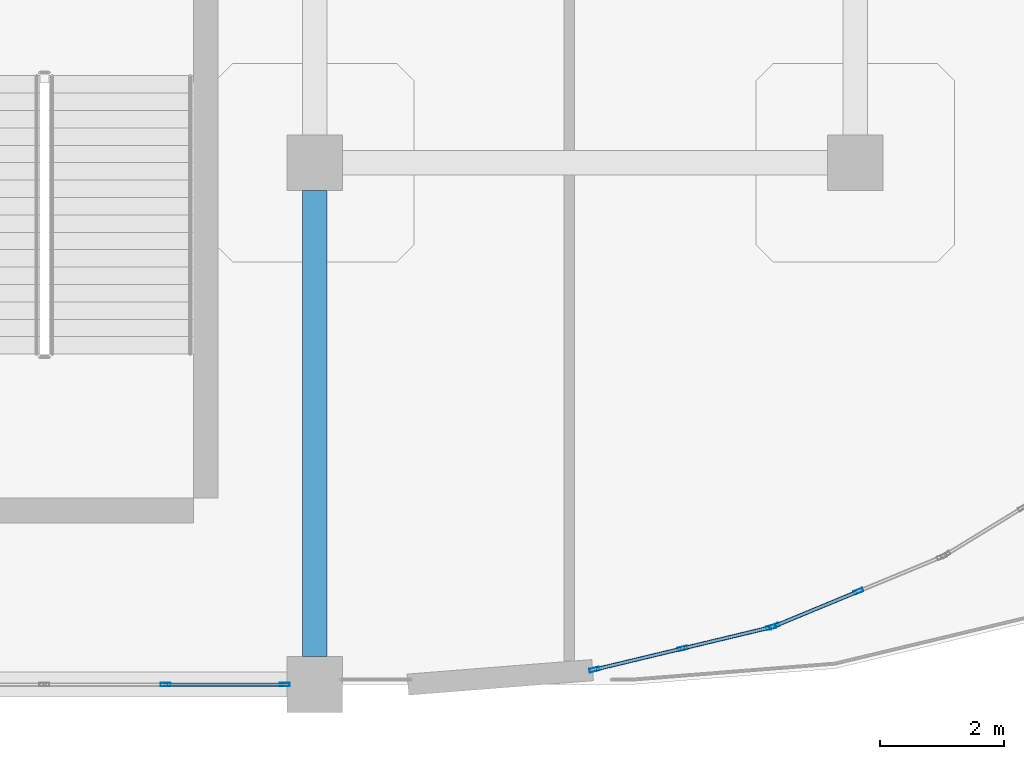
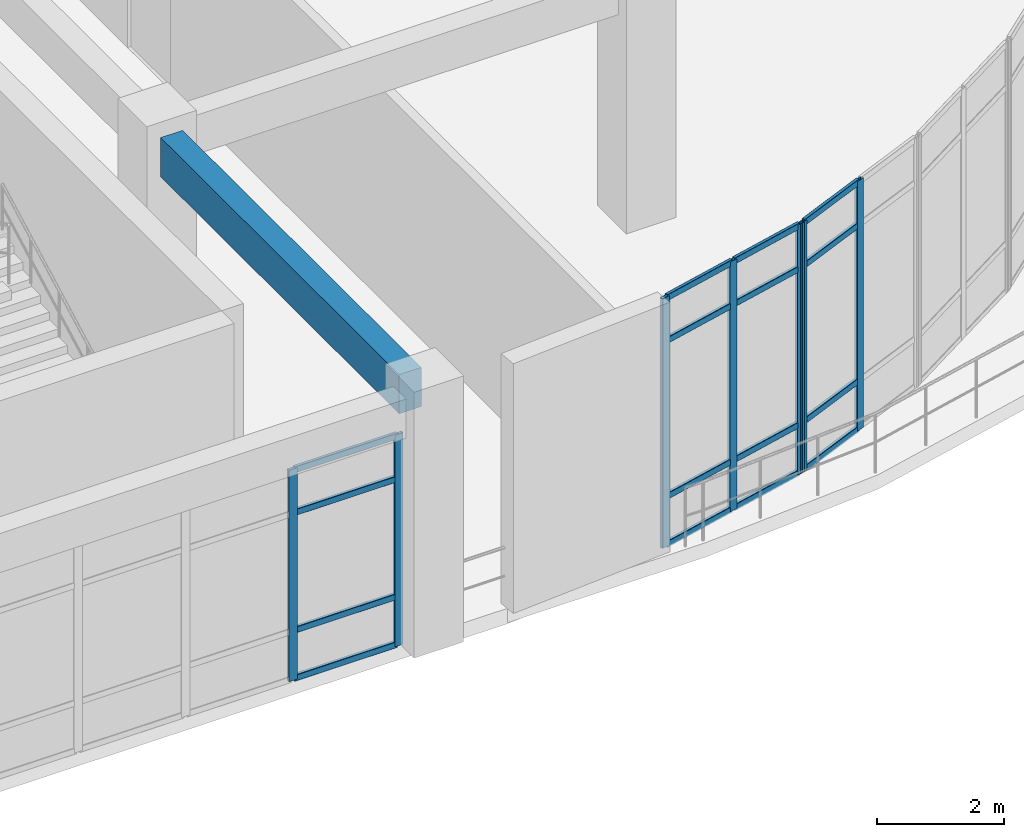
# One storey, part 59 of 120: 23 members, 1 beam, 3 elements without a shape of their own.
"""IFC4 building model written with IfcOpenShell, lengths in metres."""

import ifcopenshell
import ifcopenshell.guid

model = None  # the IFC model being written
_history = None  # IfcOwnerHistory: only IFC2X3 demands one
_inside = {}  # id of a spatial element -> (the spatial element, [elements in it])
_under = {}  # id of a project, library or spatial element -> (it, [spatial elements below it])
_declared = {}  # id of a project -> (the project, [libraries it declares])
_typed = {}  # id of a type object -> (the type object, [elements of that type])
_made_of = {}  # id of a material, layer set ... -> (it, [elements and type objects made of it])


def new_model(schema):
    """Start an empty IFC model of exactly this schema.

    Asked for "IFC4X3", IfcOpenShell would pick the latest addendum, in which some entities
    have other attributes; the version numbers below select the first issue.
    IFC2X3 requires an IfcOwnerHistory on every rooted entity: one is made here for all.
    """
    global model, _history
    if schema == "IFC4X3":
        model = ifcopenshell.file(schema_version=(4, 3, 0, 0))
    else:
        model = ifcopenshell.file(schema=schema)
    _inside.clear()
    _under.clear()
    _declared.clear()
    _typed.clear()
    _made_of.clear()
    _history = None
    if model.schema == "IFC2X3":
        org = make("IfcOrganization", Name="unknown")
        user = make(
            "IfcPersonAndOrganization",
            ThePerson=make("IfcPerson", FamilyName="unknown"),
            TheOrganization=org,
        )
        app = make(
            "IfcApplication",
            ApplicationDeveloper=org,
            Version="unknown",
            ApplicationFullName="unknown",
            ApplicationIdentifier="unknown",
        )
        _history = make(
            "IfcOwnerHistory",
            OwningUser=user,
            OwningApplication=app,
            ChangeAction="ADDED",
            CreationDate=0,
        )
    return model


def make(cls, **values):
    """One entity of the class cls with the attributes given. An attribute that is None is left unset."""
    return model.create_entity(
        cls, **{name: value for name, value in values.items() if value is not None}
    )


def rooted(cls, **values):
    """An entity with a GlobalId (a new one), such as an element, a storey or a relation."""
    return make(cls, GlobalId=ifcopenshell.guid.new(), OwnerHistory=_history, **values)


def si_unit(unit_type, name, prefix=None):
    """IfcSIUnit, for example si_unit("LENGTHUNIT", "METRE", prefix="MILLI")."""
    return make("IfcSIUnit", UnitType=unit_type, Prefix=prefix, Name=name)


def derived_unit(unit_type, elements):
    """IfcDerivedUnit: a product of units, each with its exponent."""
    return make(
        "IfcDerivedUnit",
        Elements=[
            make("IfcDerivedUnitElement", Unit=unit, Exponent=power)
            for unit, power in elements
        ],
        UnitType=unit_type,
    )


def assignment(units):
    """IfcUnitAssignment: the units of a project."""
    return None if units is None else make("IfcUnitAssignment", Units=units)


def point(xyz):
    """IfcCartesianPoint."""
    return None if xyz is None else make("IfcCartesianPoint", Coordinates=xyz)


def direction(xyz):
    """IfcDirection."""
    return None if xyz is None else make("IfcDirection", DirectionRatios=xyz)


def frame(location, z_axis=None, x_axis=None):
    """IfcAxis2Placement3D, a coordinate frame: its origin and axes. An axis left out is left unset."""
    return make(
        "IfcAxis2Placement3D",
        Location=point(location),
        Axis=direction(z_axis),
        RefDirection=direction(x_axis),
    )


def frame_2d(location, x_axis=None):
    """IfcAxis2Placement2D, a coordinate frame in the plane: its origin and x axis."""
    return make(
        "IfcAxis2Placement2D", Location=point(location), RefDirection=direction(x_axis)
    )


def origin():
    """The frame at (0, 0, 0) with its axes left unset."""
    return frame((0.0, 0.0, 0.0))


def origin_2d():
    """The frame at (0, 0) in the plane with its x axis left unset."""
    return frame_2d((0.0, 0.0))


def place(relative_to, where):
    """IfcLocalPlacement: puts the frame where relative to a parent placement (None: the world)."""
    return make(
        "IfcLocalPlacement", PlacementRelTo=relative_to, RelativePlacement=where
    )


def context(
    kind, dimensions, precision=None, world=None, true_north=None, identifier=None
):
    """IfcGeometricRepresentationContext, for example the 3D "Model" context."""
    return make(
        "IfcGeometricRepresentationContext",
        ContextIdentifier=identifier,
        ContextType=kind,
        CoordinateSpaceDimension=dimensions,
        Precision=precision,
        WorldCoordinateSystem=world,
        TrueNorth=true_north,
    )


def subcontext(parent, identifier, kind, view, scale=None):
    """IfcGeometricRepresentationSubContext, for example "Body" below "Model"."""
    return make(
        "IfcGeometricRepresentationSubContext",
        ContextIdentifier=identifier,
        ContextType=kind,
        ParentContext=parent,
        TargetScale=scale,
        TargetView=view,
    )


def project(units=None, contexts=None):
    """IfcProject with its units and contexts."""
    return rooted(
        "IfcProject",
        Name="project",
        RepresentationContexts=contexts,
        UnitsInContext=assignment(units),
    )


def spatial(cls, under=None, at=None, **own):
    """A site, building, storey or space (cls), placed at a placement, below another one or the project."""
    s = rooted(cls, ObjectPlacement=at, **own)
    if under is not None:
        _under.setdefault(under.id(), (under, []))[1].append(s)
    return s


def profile(cls, at=None, kind="AREA", **sizes):
    """A parametric profile (cls). Its sizes go by their IFC names, for example OverallWidth=200.0."""
    return make(cls, ProfileType=kind, Position=at, **sizes)


def rectangle(**sizes):
    """IfcRectangleProfileDef."""
    return profile("IfcRectangleProfileDef", **sizes)


def hollow_rectangle(**sizes):
    """IfcRectangleHollowProfileDef."""
    return profile("IfcRectangleHollowProfileDef", **sizes)


def extrude(swept, where, along, depth):
    """IfcExtrudedAreaSolid: the profile swept, set in the frame where, extruded along a direction by depth."""
    return make(
        "IfcExtrudedAreaSolid",
        SweptArea=swept,
        Position=where,
        ExtrudedDirection=direction(along),
        Depth=depth,
    )


def shape(context_of_items, identifier, shape_type, items):
    """IfcShapeRepresentation: the items that make up one representation, for example the "Body"."""
    return make(
        "IfcShapeRepresentation",
        ContextOfItems=context_of_items,
        RepresentationIdentifier=identifier,
        RepresentationType=shape_type,
        Items=items,
    )


def material(Name=None, Category=None):
    """IfcMaterial."""
    return make("IfcMaterial", Name=Name, Category=Category)


def layer(
    of_material, thickness, ventilated=None, Name=None, Category=None, Priority=None
):
    """IfcMaterialLayer: one layer of a wall or slab, of a material (None: an air gap)."""
    return make(
        "IfcMaterialLayer",
        Material=of_material,
        LayerThickness=thickness,
        IsVentilated=ventilated,
        Name=Name,
        Category=Category,
        Priority=Priority,
    )


def layer_set(layers, Name=None):
    """IfcMaterialLayerSet."""
    return make("IfcMaterialLayerSet", MaterialLayers=layers, LayerSetName=Name)


def material_profile(
    of_material, cross_section, Name=None, Category=None, Priority=None
):
    """IfcMaterialProfile: a cross section and its material."""
    return make(
        "IfcMaterialProfile",
        Name=Name,
        Material=of_material,
        Profile=cross_section,
        Priority=Priority,
        Category=Category,
    )


def profile_set(profiles, Name=None, composite=None):
    """IfcMaterialProfileSet."""
    return make(
        "IfcMaterialProfileSet",
        Name=Name,
        MaterialProfiles=profiles,
        CompositeProfile=composite,
    )


def made_of(thing, what):
    """Note that an element or type object is made of a material, layer set ...; save() writes the relation."""
    if what is not None:
        _made_of.setdefault(what.id(), (what, []))[1].append(thing)
    return thing


def type_object(cls, material=None, **own):
    """A type object (cls), such as IfcWallType, which elements share."""
    return made_of(rooted(cls, **own), material)


def element(
    cls,
    number,
    at=None,
    inside=None,
    cuts=None,
    type_object=None,
    material=None,
    context=None,
    identifier="Body",
    shape_type=None,
    held_by="IfcProductDefinitionShape",
    body=None,
    shapes=None,
    **own,
):
    """One element of the class cls, such as IfcWall. Its Tag is "e" and its number.

    at: its placement. inside: the storey or other place that contains it. cuts: it is an
    opening in that element (IfcRelVoidsElement). A single representation is given by context,
    identifier, shape_type and body (its items); several are given by shapes. held_by: the class
    of the entity that holds the representations. save() writes the other relations.
    """
    e = rooted(cls, Tag="e%d" % number, ObjectPlacement=at, **own)
    if body is not None:
        shapes = [shape(context, identifier, shape_type, body)]
    if shapes is not None:
        e.Representation = make(held_by, Representations=shapes)
    if inside is not None:
        _inside.setdefault(inside.id(), (inside, []))[1].append(e)
    if cuts is not None:
        rooted(
            "IfcRelVoidsElement", RelatingBuildingElement=cuts, RelatedOpeningElement=e
        )
    if type_object is not None:
        _typed.setdefault(type_object.id(), (type_object, []))[1].append(e)
    return made_of(e, material)


def aggregate(whole, parts):
    """IfcRelAggregates: a whole, such as a stair, and the parts it consists of."""
    return rooted("IfcRelAggregates", RelatingObject=whole, RelatedObjects=parts)


def save(model, path):
    """Write the relations noted so far, then the file.

    IfcRelAggregates (storeys below a building ...), IfcRelContainedInSpatialStructure (elements
    in a storey), IfcRelDefinesByType, IfcRelAssociatesMaterial and IfcRelDeclares: one each for
    every whole, place, type object, material and project.
    """
    for whole, parts in _under.values():
        aggregate(whole, parts)
    for where, things in _inside.values():
        rooted(
            "IfcRelContainedInSpatialStructure",
            RelatedElements=things,
            RelatingStructure=where,
        )
    for kind, things in _typed.values():
        rooted("IfcRelDefinesByType", RelatedObjects=things, RelatingType=kind)
    for what, things in _made_of.values():
        rooted("IfcRelAssociatesMaterial", RelatedObjects=things, RelatingMaterial=what)
    for by, libraries in _declared.values():
        rooted("IfcRelDeclares", RelatingContext=by, RelatedDefinitions=libraries)
    model.write(path)


model = new_model("IFC4")

# Units and contexts
model_context = context("Model", 3, precision=1e-05, world=origin(), true_north=direction((0.0, 1.0)))
body_context = subcontext(model_context, "Body", "Model", "MODEL_VIEW")
ifc_project = project(units=[si_unit("LENGTHUNIT", "METRE"), si_unit("AREAUNIT", "SQUARE_METRE"), si_unit("VOLUMEUNIT", "CUBIC_METRE"), si_unit("PLANEANGLEUNIT", "RADIAN"), si_unit("MASSUNIT", "GRAM", prefix="KILO"), derived_unit("THERMALTRANSMITTANCEUNIT", [(si_unit("MASSUNIT", "GRAM", prefix="KILO"), 1), (si_unit("TIMEUNIT", "SECOND"), -3), (si_unit("THERMODYNAMICTEMPERATUREUNIT", "KELVIN"), -1)])], contexts=[model_context])

# Site, building, storey
site_placement = place(None, origin())
site = spatial("IfcSite", under=ifc_project, at=site_placement, CompositionType="ELEMENT")
building_placement = place(site_placement, origin())
building = spatial("IfcBuilding", under=site, at=building_placement, Name="Qinzheling Arcade Emporium", CompositionType="ELEMENT")
storey_placement = place(building_placement, frame((0.0, 0.0, 11.39990234375)))
storey = spatial("IfcBuildingStorey", under=building, at=storey_placement, Name="L03", CompositionType="ELEMENT", Elevation=11.39990234375)

# Curtain wall, members
ifc_material_1 = material(Name="Anodised aluminium and solar-control double glazing", Category="aluminium")
ifc_layer_1 = layer(ifc_material_1, 0.159912109375, Name="Anodised aluminium and solar-control double glazing", Category="aluminium")
ifc_layer_set_1 = layer_set([ifc_layer_1], Name="Anodised aluminium and solar-control double glazing")
curtain_wall_type_1 = type_object("IfcCurtainWallType", Name="Curved Ribbon Sales Curtain Wall", PredefinedType="NOTDEFINED", material=ifc_layer_set_1)
curtain_wall_1_placement = place(storey_placement, origin())
curtain_wall_1 = element("IfcCurtainWall", 1, at=curtain_wall_1_placement, inside=storey, type_object=curtain_wall_type_1, Name="Curtain Wall CW-L03-135", PredefinedType="NOTDEFINED")
ifc_material_2 = material(Name="Anodised aluminium 6063-T6", Category="aluminium")
ifc_material_profile_1 = material_profile(ifc_material_2, hollow_rectangle(XDim=0.06005859375, YDim=0.159912109375, WallThickness=0.00390625, InnerFilletRadius=0.00390625, OuterFilletRadius=0.008056640625, at=origin_2d()), Name="RHS 160x60x4", Category="aluminium")
ifc_profile_set_1 = profile_set([ifc_material_profile_1], Name="Anodised aluminium 6063-T6")
member_type_1 = type_object("IfcMemberType", Name="Curtain Wall Mullion RHS160x60", PredefinedType="MULLION", material=ifc_profile_set_1)
member_1_placement = place(storey_placement, frame((156.6484375, 1.50048828125, 0.0), z_axis=(0.0, 0.0, 1.0), x_axis=(0.382638101391, -0.923898307913, 0.0)))
member_1 = element("IfcMember", 2, at=member_1_placement, type_object=member_type_1, Name="CW02 mullion 2", PredefinedType="MULLION", context=body_context, shape_type="SweptSolid", body=[
    extrude(hollow_rectangle(XDim=0.06005859375, YDim=0.159912109375, WallThickness=0.00390625, InnerFilletRadius=0.00390625, OuterFilletRadius=0.008056640625, at=origin_2d()), origin(), (0.0, 0.0, 1.0), 4.7900390625),
])
member_2_placement = place(storey_placement, frame((155.298828125, 0.94140625, 0.0), z_axis=(0.0, 0.0, 1.0), x_axis=(0.382638101391, -0.923898307913, 0.0)))
member_2 = element("IfcMember", 3, at=member_2_placement, type_object=member_type_1, Name="CW02 mullion 3", PredefinedType="MULLION", context=body_context, shape_type="SweptSolid", body=[
    extrude(hollow_rectangle(XDim=0.06005859375, YDim=0.159912109375, WallThickness=0.00390625, InnerFilletRadius=0.00390625, OuterFilletRadius=0.008056640625, at=origin_2d()), origin(), (0.0, 0.0, 1.0), 4.7900390625),
])

curtain_wall_2_placement = place(storey_placement, origin())
curtain_wall_2 = element("IfcCurtainWall", 4, at=curtain_wall_2_placement, inside=storey, type_object=curtain_wall_type_1, Name="Curtain Wall CW-L03-136", PredefinedType="NOTDEFINED")
member_3_placement = place(storey_placement, frame((155.241943359375, 0.923095703125, 0.0), z_axis=(0.0, 0.0, 1.0), x_axis=(0.233449067193, -0.972369031298, 0.0)))
member_3 = element("IfcMember", 5, at=member_3_placement, type_object=member_type_1, Name="CW02 mullion 1", PredefinedType="MULLION", context=body_context, shape_type="SweptSolid", body=[
    extrude(hollow_rectangle(XDim=0.06005859375, YDim=0.159912109375, WallThickness=0.00390625, InnerFilletRadius=0.00390625, OuterFilletRadius=0.008056640625, at=origin_2d()), origin(), (0.0, 0.0, 1.0), 4.7900390625),
])
member_4_placement = place(storey_placement, frame((153.821533203125, 0.58203125, 0.0), z_axis=(0.0, 0.0, 1.0), x_axis=(0.233449067193, -0.972369031298, 0.0)))
member_4 = element("IfcMember", 6, at=member_4_placement, type_object=member_type_1, Name="CW02 mullion 2", PredefinedType="MULLION", context=body_context, shape_type="SweptSolid", body=[
    extrude(hollow_rectangle(XDim=0.06005859375, YDim=0.159912109375, WallThickness=0.00390625, InnerFilletRadius=0.00390625, OuterFilletRadius=0.008056640625, at=origin_2d()), origin(), (0.0, 0.0, 1.0), 4.7900390625),
])
member_5_placement = place(storey_placement, frame((152.401123046875, 0.240966796875, 0.0), z_axis=(0.0, 0.0, 1.0), x_axis=(0.233449067193, -0.972369031298, 0.0)))
member_5 = element("IfcMember", 7, at=member_5_placement, type_object=member_type_1, Name="CW02 mullion 3", PredefinedType="MULLION", context=body_context, shape_type="SweptSolid", body=[
    extrude(hollow_rectangle(XDim=0.06005859375, YDim=0.159912109375, WallThickness=0.00390625, InnerFilletRadius=0.00390625, OuterFilletRadius=0.008056640625, at=origin_2d()), origin(), (0.0, 0.0, 1.0), 4.7900390625),
])

ifc_layer_2 = layer(ifc_material_1, 0.159912109375, Name="Anodised aluminium and solar-control double glazing", Category="aluminium")
ifc_layer_set_2 = layer_set([ifc_layer_2], Name="Anodised aluminium and solar-control double glazing")
curtain_wall_type_2 = type_object("IfcCurtainWallType", Name="Food Hall Loggia Curtain Wall", PredefinedType="NOTDEFINED", material=ifc_layer_set_2)
curtain_wall_3_placement = place(storey_placement, origin())
curtain_wall_3 = element("IfcCurtainWall", 8, at=curtain_wall_3_placement, inside=storey, type_object=curtain_wall_type_2, Name="Curtain Wall CW-L03-137", PredefinedType="NOTDEFINED")
member_6_placement = place(storey_placement, frame((147.41796875, 0.0, 0.0), z_axis=(0.0, 0.0, 1.0), x_axis=(0.0, -1.0, 0.0)))
member_6 = element("IfcMember", 9, at=member_6_placement, type_object=member_type_1, Name="CW04 mullion 1", PredefinedType="MULLION", context=body_context, shape_type="SweptSolid", body=[
    extrude(hollow_rectangle(XDim=0.06005859375, YDim=0.159912109375, WallThickness=0.00390625, InnerFilletRadius=0.00390625, OuterFilletRadius=0.008056640625, at=origin_2d()), origin(), (0.0, 0.0, 1.0), 4.05517578125),
])
member_7_placement = place(storey_placement, frame((145.4990234375, 0.0, 0.0), z_axis=(0.0, 0.0, 1.0), x_axis=(0.0, -1.0, 0.0)))
member_7 = element("IfcMember", 10, at=member_7_placement, type_object=member_type_1, Name="CW04 mullion 2", PredefinedType="MULLION", context=body_context, shape_type="SweptSolid", body=[
    extrude(hollow_rectangle(XDim=0.06005859375, YDim=0.159912109375, WallThickness=0.00390625, InnerFilletRadius=0.00390625, OuterFilletRadius=0.008056640625, at=origin_2d()), origin(), (0.0, 0.0, 1.0), 4.05517578125),
])

# Member
ifc_material_profile_2 = material_profile(ifc_material_2, hollow_rectangle(XDim=0.06005859375, YDim=0.1201171875, WallThickness=0.00390625, InnerFilletRadius=0.00390625, OuterFilletRadius=0.008056640625, at=origin_2d()), Name="RHS 120x60x4", Category="aluminium")
ifc_profile_set_2 = profile_set([ifc_material_profile_2], Name="Anodised aluminium 6063-T6")
member_type_2 = type_object("IfcMemberType", Name="Curtain Wall Transom RHS120x60", PredefinedType="USERDEFINED", material=ifc_profile_set_2)
member_8_placement = place(storey_placement, frame((156.620849609375, 1.489013671875, 0.030029296875), z_axis=(-0.923889408399, -0.382659588994, 0.0), x_axis=(0.382659588994, -0.923889408399, 0.0)))
member_8 = element("IfcMember", 11, at=member_8_placement, type_object=member_type_2, Name="CW02 transom 2.1", ObjectType="TRANSOM", PredefinedType="USERDEFINED", context=body_context, shape_type="SweptSolid", body=[
    extrude(hollow_rectangle(XDim=0.06005859375, YDim=0.1201171875, WallThickness=0.00390625, InnerFilletRadius=0.00390625, OuterFilletRadius=0.008056640625, at=origin_2d()), origin(), (0.0, 0.0, 1.0), 1.401123046875),
])

member_9_placement = place(storey_placement, frame((156.620849609375, 1.489013671875, 0.9501953125), z_axis=(-0.923889408399, -0.382659588994, 0.0), x_axis=(0.382659588994, -0.923889408399, 0.0)))
member_9 = element("IfcMember", 12, at=member_9_placement, type_object=member_type_2, Name="CW02 transom 2.2", ObjectType="TRANSOM", PredefinedType="USERDEFINED", context=body_context, shape_type="SweptSolid", body=[
    extrude(hollow_rectangle(XDim=0.06005859375, YDim=0.1201171875, WallThickness=0.00390625, InnerFilletRadius=0.00390625, OuterFilletRadius=0.008056640625, at=origin_2d()), origin(), (0.0, 0.0, 1.0), 1.401123046875),
])

member_10_placement = place(storey_placement, frame((156.620849609375, 1.489013671875, 3.940185546875), z_axis=(-0.923889408399, -0.382659588994, 0.0), x_axis=(0.382659588994, -0.923889408399, 0.0)))
member_10 = element("IfcMember", 13, at=member_10_placement, type_object=member_type_2, Name="CW02 transom 2.3", ObjectType="TRANSOM", PredefinedType="USERDEFINED", context=body_context, shape_type="SweptSolid", body=[
    extrude(hollow_rectangle(XDim=0.06005859375, YDim=0.1201171875, WallThickness=0.00390625, InnerFilletRadius=0.00390625, OuterFilletRadius=0.008056640625, at=origin_2d()), origin(), (0.0, 0.0, 1.0), 1.401123046875),
])

member_11_placement = place(storey_placement, frame((156.620849609375, 1.489013671875, 4.760009765625), z_axis=(-0.923889408399, -0.382659588994, 0.0), x_axis=(0.382659588994, -0.923889408399, 0.0)))
member_11 = element("IfcMember", 14, at=member_11_placement, type_object=member_type_2, Name="CW02 transom 2.4", ObjectType="TRANSOM", PredefinedType="USERDEFINED", context=body_context, shape_type="SweptSolid", body=[
    extrude(hollow_rectangle(XDim=0.06005859375, YDim=0.1201171875, WallThickness=0.00390625, InnerFilletRadius=0.00390625, OuterFilletRadius=0.008056640625, at=origin_2d()), origin(), (0.0, 0.0, 1.0), 1.401123046875),
])

aggregate(curtain_wall_1, [member_1, member_2, member_8, member_9, member_10, member_11])

member_12_placement = place(storey_placement, frame((155.212646484375, 0.916015625, 0.030029296875), z_axis=(-0.972385719865, -0.233379544524, 0.0), x_axis=(0.233379544524, -0.972385719865, 0.0)))
member_12 = element("IfcMember", 15, at=member_12_placement, type_object=member_type_2, Name="CW02 transom 1.1", ObjectType="TRANSOM", PredefinedType="USERDEFINED", context=body_context, shape_type="SweptSolid", body=[
    extrude(hollow_rectangle(XDim=0.06005859375, YDim=0.1201171875, WallThickness=0.00390625, InnerFilletRadius=0.00390625, OuterFilletRadius=0.008056640625, at=origin_2d()), origin(), (0.0, 0.0, 1.0), 1.400634765625),
])

member_13_placement = place(storey_placement, frame((155.212646484375, 0.916015625, 0.9501953125), z_axis=(-0.972385719865, -0.233379544524, 0.0), x_axis=(0.233379544524, -0.972385719865, 0.0)))
member_13 = element("IfcMember", 16, at=member_13_placement, type_object=member_type_2, Name="CW02 transom 1.2", ObjectType="TRANSOM", PredefinedType="USERDEFINED", context=body_context, shape_type="SweptSolid", body=[
    extrude(hollow_rectangle(XDim=0.06005859375, YDim=0.1201171875, WallThickness=0.00390625, InnerFilletRadius=0.00390625, OuterFilletRadius=0.008056640625, at=origin_2d()), origin(), (0.0, 0.0, 1.0), 1.400634765625),
])

member_14_placement = place(storey_placement, frame((155.212646484375, 0.916015625, 3.940185546875), z_axis=(-0.972385719865, -0.233379544524, 0.0), x_axis=(0.233379544524, -0.972385719865, 0.0)))
member_14 = element("IfcMember", 17, at=member_14_placement, type_object=member_type_2, Name="CW02 transom 1.3", ObjectType="TRANSOM", PredefinedType="USERDEFINED", context=body_context, shape_type="SweptSolid", body=[
    extrude(hollow_rectangle(XDim=0.06005859375, YDim=0.1201171875, WallThickness=0.00390625, InnerFilletRadius=0.00390625, OuterFilletRadius=0.008056640625, at=origin_2d()), origin(), (0.0, 0.0, 1.0), 1.400634765625),
])

member_15_placement = place(storey_placement, frame((155.212646484375, 0.916015625, 4.760009765625), z_axis=(-0.972385719865, -0.233379544524, 0.0), x_axis=(0.233379544524, -0.972385719865, 0.0)))
member_15 = element("IfcMember", 18, at=member_15_placement, type_object=member_type_2, Name="CW02 transom 1.4", ObjectType="TRANSOM", PredefinedType="USERDEFINED", context=body_context, shape_type="SweptSolid", body=[
    extrude(hollow_rectangle(XDim=0.06005859375, YDim=0.1201171875, WallThickness=0.00390625, InnerFilletRadius=0.00390625, OuterFilletRadius=0.008056640625, at=origin_2d()), origin(), (0.0, 0.0, 1.0), 1.400634765625),
])

member_16_placement = place(storey_placement, frame((153.792236328125, 0.574951171875, 0.030029296875), z_axis=(-0.972376224357, -0.233419104413, 0.0), x_axis=(0.233419104413, -0.972376224357, 0.0)))
member_16 = element("IfcMember", 19, at=member_16_placement, type_object=member_type_2, Name="CW02 transom 2.1", ObjectType="TRANSOM", PredefinedType="USERDEFINED", context=body_context, shape_type="SweptSolid", body=[
    extrude(hollow_rectangle(XDim=0.06005859375, YDim=0.1201171875, WallThickness=0.00390625, InnerFilletRadius=0.00390625, OuterFilletRadius=0.008056640625, at=origin_2d()), origin(), (0.0, 0.0, 1.0), 1.400390625),
])

member_17_placement = place(storey_placement, frame((153.792236328125, 0.574951171875, 0.9501953125), z_axis=(-0.972376224357, -0.233419104413, 0.0), x_axis=(0.233419104413, -0.972376224357, 0.0)))
member_17 = element("IfcMember", 20, at=member_17_placement, type_object=member_type_2, Name="CW02 transom 2.2", ObjectType="TRANSOM", PredefinedType="USERDEFINED", context=body_context, shape_type="SweptSolid", body=[
    extrude(hollow_rectangle(XDim=0.06005859375, YDim=0.1201171875, WallThickness=0.00390625, InnerFilletRadius=0.00390625, OuterFilletRadius=0.008056640625, at=origin_2d()), origin(), (0.0, 0.0, 1.0), 1.400390625),
])

member_18_placement = place(storey_placement, frame((153.792236328125, 0.574951171875, 3.940185546875), z_axis=(-0.972376224357, -0.233419104413, 0.0), x_axis=(0.233419104413, -0.972376224357, 0.0)))
member_18 = element("IfcMember", 21, at=member_18_placement, type_object=member_type_2, Name="CW02 transom 2.3", ObjectType="TRANSOM", PredefinedType="USERDEFINED", context=body_context, shape_type="SweptSolid", body=[
    extrude(hollow_rectangle(XDim=0.06005859375, YDim=0.1201171875, WallThickness=0.00390625, InnerFilletRadius=0.00390625, OuterFilletRadius=0.008056640625, at=origin_2d()), origin(), (0.0, 0.0, 1.0), 1.400390625),
])

member_19_placement = place(storey_placement, frame((153.792236328125, 0.574951171875, 4.760009765625), z_axis=(-0.972376224357, -0.233419104413, 0.0), x_axis=(0.233419104413, -0.972376224357, 0.0)))
member_19 = element("IfcMember", 22, at=member_19_placement, type_object=member_type_2, Name="CW02 transom 2.4", ObjectType="TRANSOM", PredefinedType="USERDEFINED", context=body_context, shape_type="SweptSolid", body=[
    extrude(hollow_rectangle(XDim=0.06005859375, YDim=0.1201171875, WallThickness=0.00390625, InnerFilletRadius=0.00390625, OuterFilletRadius=0.008056640625, at=origin_2d()), origin(), (0.0, 0.0, 1.0), 1.400390625),
])

aggregate(curtain_wall_2, [member_3, member_4, member_5, member_12, member_13, member_14, member_15, member_16, member_17, member_18, member_19])

member_20_placement = place(storey_placement, frame((147.387939453125, 0.0, 0.030029296875), z_axis=(-1.0, 0.0, 0.0), x_axis=(0.0, -1.0, 0.0)))
member_20 = element("IfcMember", 23, at=member_20_placement, type_object=member_type_2, Name="CW04 transom 1.1", ObjectType="TRANSOM", PredefinedType="USERDEFINED", context=body_context, shape_type="SweptSolid", body=[
    extrude(hollow_rectangle(XDim=0.06005859375, YDim=0.1201171875, WallThickness=0.00390625, InnerFilletRadius=0.00390625, OuterFilletRadius=0.008056640625, at=origin_2d()), origin(), (0.0, 0.0, 1.0), 1.85888671875),
])

member_21_placement = place(storey_placement, frame((147.387939453125, 0.0, 0.9501953125), z_axis=(-1.0, 0.0, 0.0), x_axis=(0.0, -1.0, 0.0)))
member_21 = element("IfcMember", 24, at=member_21_placement, type_object=member_type_2, Name="CW04 transom 1.2", ObjectType="TRANSOM", PredefinedType="USERDEFINED", context=body_context, shape_type="SweptSolid", body=[
    extrude(hollow_rectangle(XDim=0.06005859375, YDim=0.1201171875, WallThickness=0.00390625, InnerFilletRadius=0.00390625, OuterFilletRadius=0.008056640625, at=origin_2d()), origin(), (0.0, 0.0, 1.0), 1.85888671875),
])

member_22_placement = place(storey_placement, frame((147.387939453125, 0.0, 3.205078125), z_axis=(-1.0, 0.0, 0.0), x_axis=(0.0, -1.0, 0.0)))
member_22 = element("IfcMember", 25, at=member_22_placement, type_object=member_type_2, Name="CW04 transom 1.3", ObjectType="TRANSOM", PredefinedType="USERDEFINED", context=body_context, shape_type="SweptSolid", body=[
    extrude(hollow_rectangle(XDim=0.06005859375, YDim=0.1201171875, WallThickness=0.00390625, InnerFilletRadius=0.00390625, OuterFilletRadius=0.008056640625, at=origin_2d()), origin(), (0.0, 0.0, 1.0), 1.85888671875),
])

member_23_placement = place(storey_placement, frame((147.387939453125, 0.0, 4.025146484375), z_axis=(-1.0, 0.0, 0.0), x_axis=(0.0, -1.0, 0.0)))
member_23 = element("IfcMember", 26, at=member_23_placement, type_object=member_type_2, Name="CW04 transom 1.4", ObjectType="TRANSOM", PredefinedType="USERDEFINED", context=body_context, shape_type="SweptSolid", body=[
    extrude(hollow_rectangle(XDim=0.06005859375, YDim=0.1201171875, WallThickness=0.00390625, InnerFilletRadius=0.00390625, OuterFilletRadius=0.008056640625, at=origin_2d()), origin(), (0.0, 0.0, 1.0), 1.85888671875),
])

aggregate(curtain_wall_3, [member_6, member_7, member_20, member_21, member_22, member_23])

# Beam
ifc_material_3 = material(Name="Concrete C40", Category="concrete")
ifc_material_profile_3 = material_profile(ifc_material_3, rectangle(XDim=0.39990234375, YDim=0.75, at=origin_2d()), Name="RC 400x750", Category="concrete")
ifc_profile_set_3 = profile_set([ifc_material_profile_3], Name="Concrete C40")
beam_type = type_object("IfcBeamType", Name="RC Interior Tie Beam 400x750 C40", PredefinedType="BEAM", material=ifc_profile_set_3)
beam_placement = place(storey_placement, frame((147.89990234375, 0.449951171875, 4.43017578125), z_axis=(0.0, 1.0, 0.0), x_axis=(-1.0, 0.0, 0.0)))
element("IfcBeam", 27, at=beam_placement, inside=storey, type_object=beam_type, Name="Beam BM-L03-Y-18-A", PredefinedType="BEAM", context=body_context, shape_type="SweptSolid", body=[
    extrude(rectangle(XDim=0.39990234375, YDim=0.75, at=origin_2d()), origin(), (0.0, 0.0, 1.0), 7.5),
])

save(model, "model.ifc")
